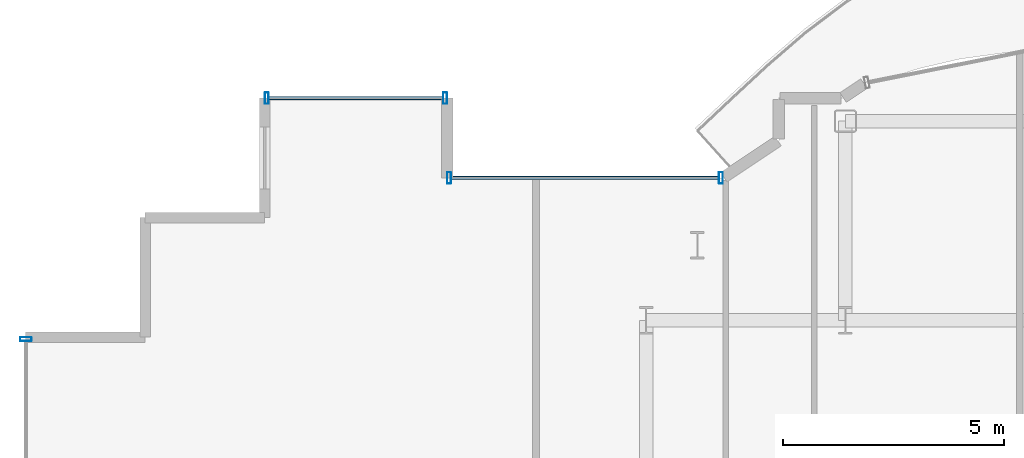
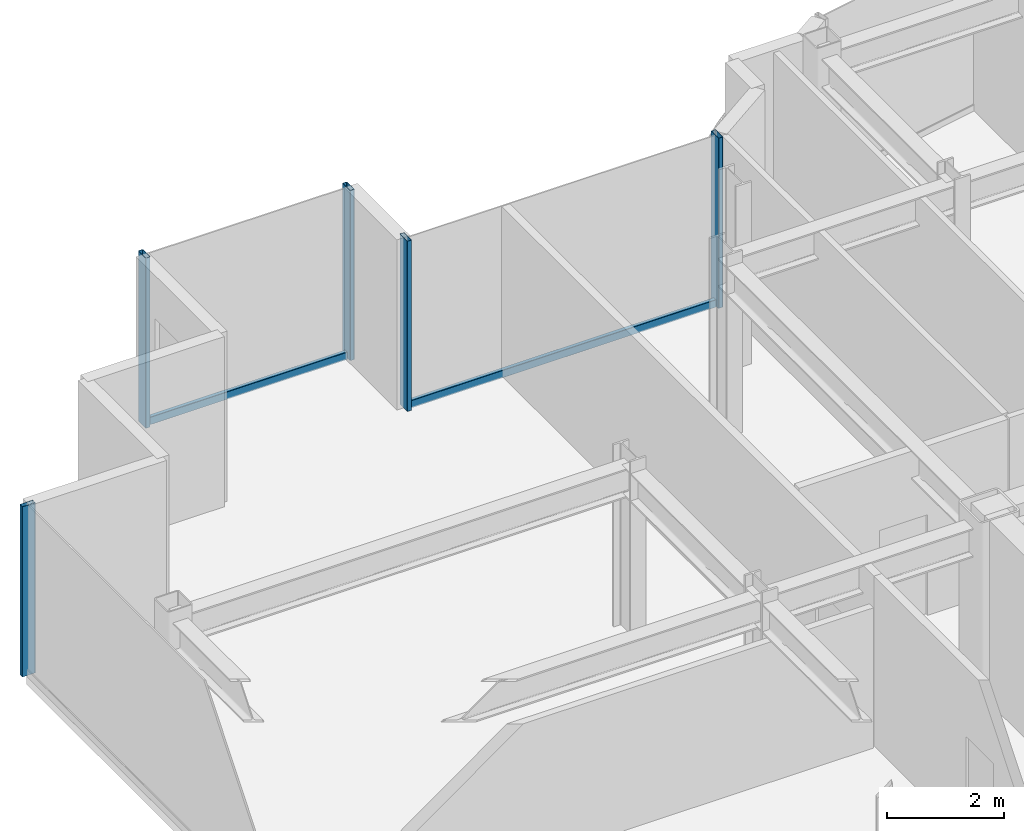
# One storey, part 9 of 18: 7 members, 3 elements without a shape of their own.
"""IFC4 building model written with IfcOpenShell, lengths in metres."""

from ifc_helpers import new_model, si_unit, direction, frame, origin, origin_2d, place, context, subcontext, project, spatial, hollow_rectangle, extrude, source, transform, mapped, material, layer, layer_set, material_profile, profile_set, type_object, element, aggregate, save


model = new_model("IFC4")

# Units and contexts
model_context = context("Model", 3, precision=1e-05, world=origin(), true_north=direction((0.0, 1.0)))
body_context = subcontext(model_context, "Body", "Model", "MODEL_VIEW")
ifc_project = project(units=[si_unit("LENGTHUNIT", "METRE"), si_unit("AREAUNIT", "SQUARE_METRE"), si_unit("VOLUMEUNIT", "CUBIC_METRE"), si_unit("PLANEANGLEUNIT", "RADIAN"), si_unit("MASSUNIT", "GRAM", prefix="KILO")], contexts=[model_context])

# Site, building, storey
site_placement = place(None, origin())
site = spatial("IfcSite", under=ifc_project, at=site_placement, CompositionType="ELEMENT")
building_placement = place(site_placement, origin())
building = spatial("IfcBuilding", under=site, at=building_placement, Name="Nefas-Gora Pilgrimage Tower", CompositionType="ELEMENT")
storey_placement = place(building_placement, frame((0.0, 0.0, 291.199951171875)))
storey = spatial("IfcBuildingStorey", under=building, at=storey_placement, Name="L73", CompositionType="ELEMENT", Elevation=291.199951171875)

# Curtain wall, members
ifc_material_1 = material(Name="Dark ceramic-fritted solar-control aluminium-glass curtain wall", Category="aluminium")
ifc_layer_1 = layer(ifc_material_1, 0.219970703125)
ifc_layer_set_1 = layer_set([ifc_layer_1], Name="Dark ceramic-fritted solar-control aluminium-glass curtain wall")
curtain_wall_type_1 = type_object("IfcCurtainWallType", Name="CW-SYS-5", PredefinedType="NOTDEFINED", material=ifc_layer_set_1)
curtain_wall_1_placement = place(storey_placement, origin())
curtain_wall_1 = element("IfcCurtainWall", 1, at=curtain_wall_1_placement, inside=storey, type_object=curtain_wall_type_1, Name="L73 Unitised Curtain Wall CW5", PredefinedType="NOTDEFINED")
ifc_material_2 = material(Name="Anodised architectural aluminium", Category="aluminium")
ifc_material_profile_1 = material_profile(ifc_material_2, hollow_rectangle(XDim=0.090087890625, YDim=0.260009765625, WallThickness=0.006103515625, InnerFilletRadius=0.006103515625, OuterFilletRadius=0.011962890625, at=origin_2d()), Name="ALU MULLION 90x260")
ifc_profile_set_1 = profile_set([ifc_material_profile_1], Name="Anodised architectural aluminium")
member_type_1 = type_object("IfcMemberType", Name="CWM-MUL-5", PredefinedType="MULLION", material=ifc_profile_set_1)
shared_shape_1 = source(origin(), body_context, "Body", "SweptSolid", [
    extrude(hollow_rectangle(XDim=0.090087890625, YDim=0.260009765625, WallThickness=0.006103515625, InnerFilletRadius=0.006103515625, OuterFilletRadius=0.011962890625, at=origin_2d()), origin(), (0.0, 0.0, 1.0), 3.550048828125),
])
member_1_placement = place(storey_placement, frame((-9.56298828125, 21.219970703125, 0.0), z_axis=(0.0, 0.0, 1.0), x_axis=(-1.0, 0.0, 0.0)))
member_1 = element("IfcMember", 2, at=member_1_placement, type_object=member_type_1, Name="CW5 Mullion 1", PredefinedType="MULLION", context=body_context, shape_type="MappedRepresentation", body=[
    mapped(shared_shape_1, transform((0.0, 0.0, 0.0), x_axis=(1.0, 0.0, 0.0), y_axis=(0.0, 1.0, 0.0), z_axis=(0.0, 0.0, 1.0), scale=1.0)),
])
member_2_placement = place(storey_placement, frame((-15.705078125, 21.219970703125, 0.0), z_axis=(0.0, 0.0, 1.0), x_axis=(-1.0, 0.0, 0.0)))
member_2 = element("IfcMember", 3, at=member_2_placement, type_object=member_type_1, Name="CW5 Mullion 2", PredefinedType="MULLION", context=body_context, shape_type="MappedRepresentation", body=[
    mapped(shared_shape_1, transform((0.0, 0.0, 0.0), x_axis=(1.0, 0.0, 0.0), y_axis=(0.0, 1.0, 0.0), z_axis=(0.0, 0.0, 1.0), scale=1.0)),
])
ifc_material_profile_2 = material_profile(ifc_material_2, hollow_rectangle(XDim=0.080078125, YDim=0.159912109375, WallThickness=0.00439453125, InnerFilletRadius=0.00439453125, OuterFilletRadius=0.009033203125, at=origin_2d()), Name="ALU TRANSOM 80x160")
ifc_profile_set_2 = profile_set([ifc_material_profile_2], Name="Anodised architectural aluminium")
member_type_2 = type_object("IfcMemberType", Name="CWM-TRN-5", PredefinedType="USERDEFINED", material=ifc_profile_set_2)
shared_shape_2 = source(origin(), body_context, "Body", "SweptSolid", [
    extrude(hollow_rectangle(XDim=0.080078125, YDim=0.159912109375, WallThickness=0.00439453125, InnerFilletRadius=0.00439453125, OuterFilletRadius=0.009033203125, at=origin_2d()), origin(), (0.0, 0.0, 1.0), 6.052001953125),
])
member_3_placement = place(storey_placement, frame((-9.60791015625, 21.219970703125, 0.050048828125), z_axis=(-1.0, 0.0, 0.0), x_axis=(0.0, -1.0, 0.0)))
member_3 = element("IfcMember", 4, at=member_3_placement, type_object=member_type_2, Name="CW5 Spandrel Transom", ObjectType="TRANSOM", PredefinedType="USERDEFINED", context=body_context, shape_type="MappedRepresentation", body=[
    mapped(shared_shape_2, transform((0.0, 0.0, 0.0), x_axis=(1.0, 0.0, 0.0), y_axis=(0.0, 1.0, 0.0), z_axis=(0.0, 0.0, 1.0), scale=1.0)),
])
aggregate(curtain_wall_1, [member_1, member_2, member_3])

ifc_layer_2 = layer(ifc_material_1, 0.219970703125)
ifc_layer_set_2 = layer_set([ifc_layer_2], Name="Dark ceramic-fritted solar-control aluminium-glass curtain wall")
curtain_wall_type_2 = type_object("IfcCurtainWallType", Name="CW-SYS-4", PredefinedType="NOTDEFINED", material=ifc_layer_set_2)
curtain_wall_2_placement = place(storey_placement, origin())
curtain_wall_2 = element("IfcCurtainWall", 5, at=curtain_wall_2_placement, inside=storey, type_object=curtain_wall_type_2, Name="L73 Unitised Curtain Wall CW4", PredefinedType="NOTDEFINED")
ifc_material_profile_3 = material_profile(ifc_material_2, hollow_rectangle(XDim=0.080078125, YDim=0.159912109375, WallThickness=0.00439453125, InnerFilletRadius=0.00439453125, OuterFilletRadius=0.009033203125, at=origin_2d()), Name="ALU TRANSOM 80x160")
ifc_profile_set_3 = profile_set([ifc_material_profile_3], Name="Anodised architectural aluminium")
member_type_3 = type_object("IfcMemberType", Name="CWM-TRN-4", PredefinedType="USERDEFINED", material=ifc_profile_set_3)
shared_shape_3 = source(origin(), body_context, "Body", "SweptSolid", [
    extrude(hollow_rectangle(XDim=0.080078125, YDim=0.159912109375, WallThickness=0.00439453125, InnerFilletRadius=0.00439453125, OuterFilletRadius=0.009033203125, at=origin_2d()), origin(), (0.0, 0.0, 1.0), 3.93994140625),
])
member_4_placement = place(storey_placement, frame((-15.840087890625, 23.02001953125, 0.050048828125), z_axis=(-1.0, 0.0, 0.0), x_axis=(0.0, -1.0, 0.0)))
member_4 = element("IfcMember", 6, at=member_4_placement, type_object=member_type_3, Name="CW4 Spandrel Transom", ObjectType="TRANSOM", PredefinedType="USERDEFINED", context=body_context, shape_type="MappedRepresentation", body=[
    mapped(shared_shape_3, transform((0.0, 0.0, 0.0), x_axis=(1.0, 0.0, 0.0), y_axis=(0.0, 1.0, 0.0), z_axis=(0.0, 0.0, 1.0), scale=1.0)),
])
ifc_material_profile_4 = material_profile(ifc_material_2, hollow_rectangle(XDim=0.090087890625, YDim=0.260009765625, WallThickness=0.006103515625, InnerFilletRadius=0.006103515625, OuterFilletRadius=0.011962890625, at=origin_2d()), Name="ALU MULLION 90x260")
ifc_profile_set_4 = profile_set([ifc_material_profile_4], Name="Anodised architectural aluminium")
member_type_4 = type_object("IfcMemberType", Name="CWM-MUL-4", PredefinedType="MULLION", material=ifc_profile_set_4)
shared_shape_4 = source(origin(), body_context, "Body", "SweptSolid", [
    extrude(hollow_rectangle(XDim=0.090087890625, YDim=0.260009765625, WallThickness=0.006103515625, InnerFilletRadius=0.006103515625, OuterFilletRadius=0.011962890625, at=origin_2d()), origin(), (0.0, 0.0, 1.0), 3.550048828125),
])
member_5_placement = place(storey_placement, frame((-15.794921875, 23.02001953125, 0.0), z_axis=(0.0, 0.0, 1.0), x_axis=(-1.0, 0.0, 0.0)))
member_5 = element("IfcMember", 7, at=member_5_placement, type_object=member_type_4, Name="CW4 Mullion 1", PredefinedType="MULLION", context=body_context, shape_type="MappedRepresentation", body=[
    mapped(shared_shape_4, transform((0.0, 0.0, 0.0), x_axis=(1.0, 0.0, 0.0), y_axis=(0.0, 1.0, 0.0), z_axis=(0.0, 0.0, 1.0), scale=1.0)),
])
member_6_placement = place(storey_placement, frame((-19.824951171875, 23.02001953125, 0.0), z_axis=(0.0, 0.0, 1.0), x_axis=(-1.0, 0.0, 0.0)))
member_6 = element("IfcMember", 8, at=member_6_placement, type_object=member_type_4, Name="CW4 Mullion 2", PredefinedType="MULLION", context=body_context, shape_type="MappedRepresentation", body=[
    mapped(shared_shape_4, transform((0.0, 0.0, 0.0), x_axis=(1.0, 0.0, 0.0), y_axis=(0.0, 1.0, 0.0), z_axis=(0.0, 0.0, 1.0), scale=1.0)),
])
aggregate(curtain_wall_2, [member_5, member_6, member_4])

# Curtain wall, member
curtain_wall_3_placement = place(storey_placement, origin())
curtain_wall_3 = element("IfcCurtainWall", 9, at=curtain_wall_3_placement, inside=storey, type_object=curtain_wall_type_2, Name="L73 Unitised Curtain Wall CW4", PredefinedType="NOTDEFINED")
member_7_placement = place(storey_placement, frame((-25.27001953125, 17.574951171875, 0.0), z_axis=(0.0, 0.0, 1.0), x_axis=(0.0, -1.0, 0.0)))
member_7 = element("IfcMember", 10, at=member_7_placement, type_object=member_type_4, Name="CW4 Mullion 1", PredefinedType="MULLION", context=body_context, shape_type="MappedRepresentation", body=[
    mapped(shared_shape_4, transform((0.0, 0.0, 0.0), x_axis=(1.0, 0.0, 0.0), y_axis=(0.0, 1.0, 0.0), z_axis=(0.0, 0.0, 1.0), scale=1.0)),
])
aggregate(curtain_wall_3, [member_7])

save(model, "model.ifc")
